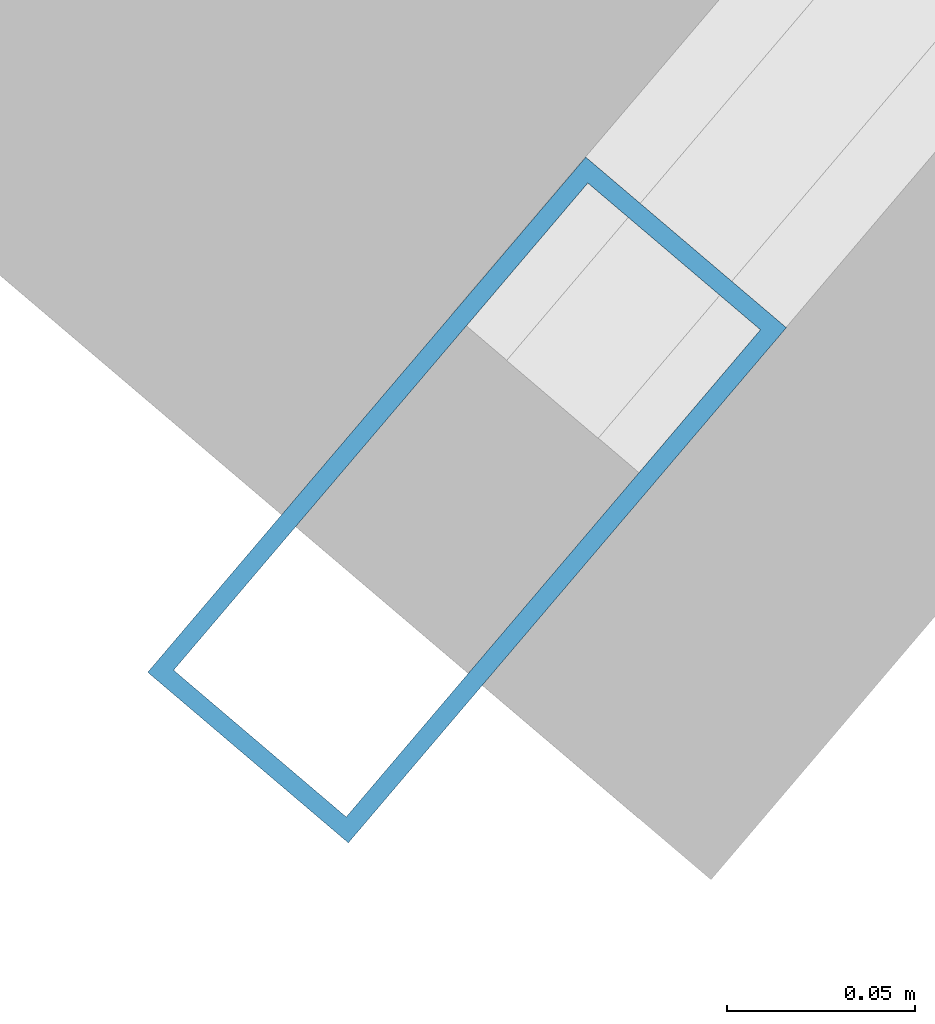
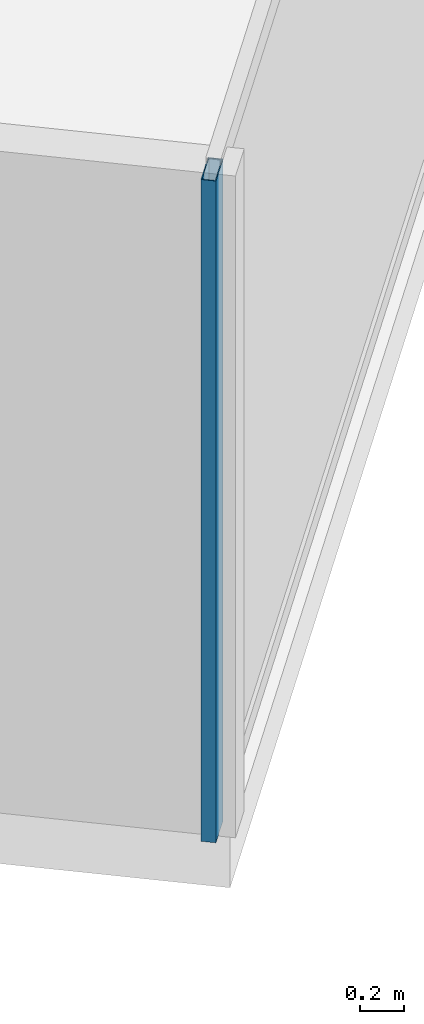
# One storey, part 4 of 25: 1 member, 1 element without a shape of its own.
"""IFC4 building model written with IfcOpenShell, lengths in metres."""

from ifc_helpers import new_model, si_unit, direction, frame, origin, origin_2d, place, context, subcontext, project, spatial, hollow_rectangle, extrude, source, transform, mapped, material, material_profile, profile_set, type_object, type_shapes, element, aggregate, save


model = new_model("IFC4")

# Units and contexts
model_context = context("Model", 3, precision=1e-05, world=origin(), true_north=direction((0.0, 1.0)))
body_context = subcontext(model_context, "Body", "Model", "MODEL_VIEW")
ifc_project = project(units=[si_unit("LENGTHUNIT", "METRE"), si_unit("AREAUNIT", "SQUARE_METRE"), si_unit("VOLUMEUNIT", "CUBIC_METRE"), si_unit("PLANEANGLEUNIT", "RADIAN"), si_unit("MASSUNIT", "GRAM", prefix="KILO")], contexts=[model_context])

# Site, building, storey
site_placement = place(None, origin())
site = spatial("IfcSite", under=ifc_project, at=site_placement, CompositionType="ELEMENT")
building_placement = place(site_placement, origin())
building = spatial("IfcBuilding", under=site, at=building_placement, Name="Krantzveldt Concourse Tower", CompositionType="ELEMENT")
storey_placement = place(building_placement, frame((0.0, 0.0, 215.199951171875)))
storey = spatial("IfcBuildingStorey", under=building, at=storey_placement, Name="L52", CompositionType="ELEMENT", Elevation=215.199951171875)

# Curtain wall, member
ifc_material = material(Name="Anodised aluminium 6063-T6", Category="aluminium")
curtain_wall_type = type_object("IfcCurtainWallType", Name="CW3", PredefinedType="USERDEFINED", material=ifc_material)
curtain_wall_placement = place(storey_placement, origin())
curtain_wall = element("IfcCurtainWall", 1, at=curtain_wall_placement, inside=storey, type_object=curtain_wall_type, Name="CW-L52-F07", ObjectType="UNITISED CURTAIN WALL", PredefinedType="USERDEFINED")
ifc_material_profile = material_profile(ifc_material, hollow_rectangle(XDim=0.070068359375, YDim=0.179931640625, WallThickness=0.0048828125, at=origin_2d()), Name="Anodised aluminium 6063-T6", Category="aluminium")
ifc_profile_set = profile_set([ifc_material_profile], Name="Anodised aluminium 6063-T6 - ALU-MULL 180x70x5")
member_type = type_object("IfcMemberType", Name="CW-MUL-180", PredefinedType="MULLION", material=ifc_profile_set)
shared_shape = source(origin(), body_context, "Body", "SweptSolid", [
    extrude(hollow_rectangle(XDim=0.070068359375, YDim=0.179931640625, WallThickness=0.0048828125, at=origin_2d()), origin(), (0.0, 0.0, 1.0), 3.670166015625),
])
type_shapes(member_type, [shared_shape])
member_placement = place(storey_placement, frame((41.53076171875, 1.697021484375, 0.0), z_axis=(0.0, 0.0, 1.0), x_axis=(-0.761820912327, 0.647787694805, 0.0)))
member = element("IfcMember", 2, at=member_placement, type_object=member_type, Name="CW-Z34 mullion 1", PredefinedType="MULLION", context=body_context, shape_type="MappedRepresentation", body=[
    mapped(shared_shape, transform((0.0, 0.0, 0.0), x_axis=(1.0, 0.0, 0.0), y_axis=(0.0, 1.0, 0.0), z_axis=(0.0, 0.0, 1.0), scale=1.0)),
])
aggregate(curtain_wall, [member])

save(model, "model.ifc")
